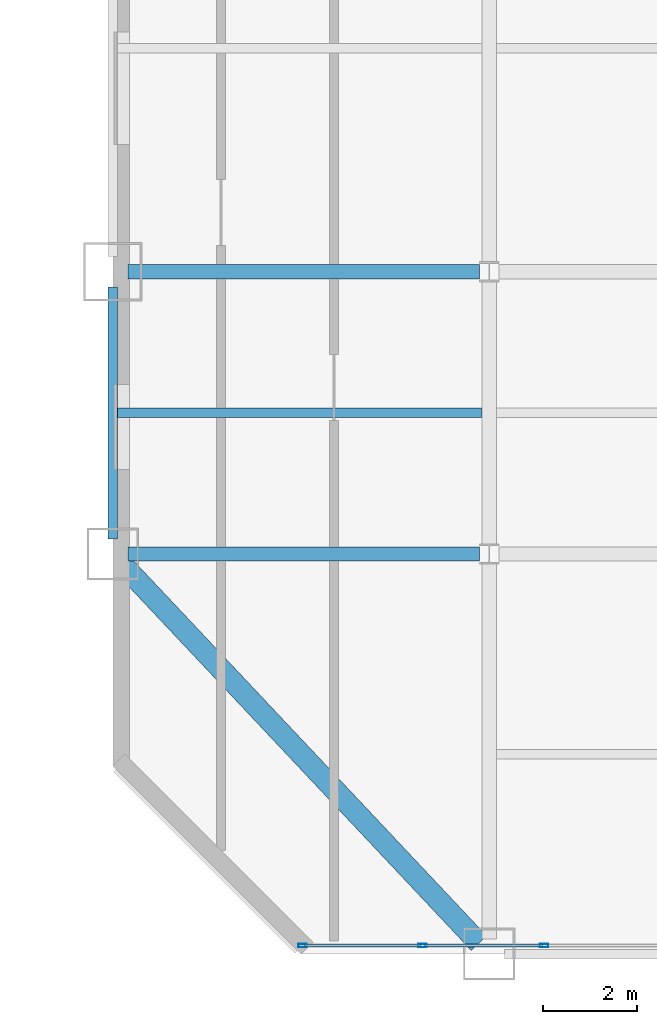
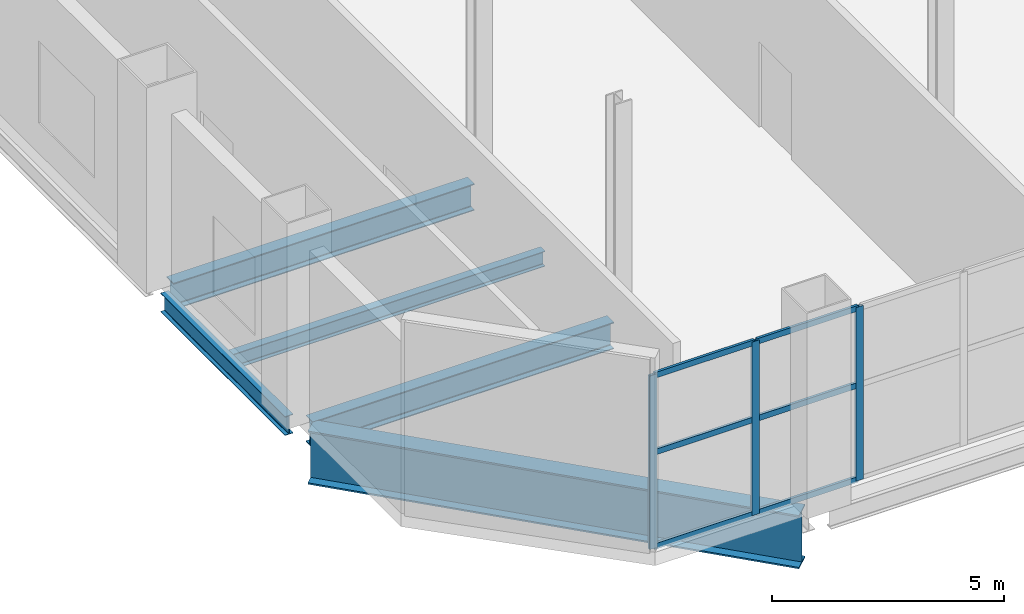
# One storey, part 6 of 26: 9 members, 5 beams, 1 element without a shape of its own.
"""IFC4 building model written with IfcOpenShell, lengths in metres."""

from ifc_helpers import new_model, si_unit, direction, frame, origin, origin_2d, place, context, subcontext, project, spatial, hollow_rectangle, i_section, extrude, material, layer, layer_set, material_profile, profile_set, type_object, element, aggregate, save


model = new_model("IFC4")

# Units and contexts
model_context = context("Model", 3, precision=1e-05, world=origin(), true_north=direction((0.0, 1.0)))
body_context = subcontext(model_context, "Body", "Model", "MODEL_VIEW")
ifc_project = project(units=[si_unit("LENGTHUNIT", "METRE"), si_unit("AREAUNIT", "SQUARE_METRE"), si_unit("VOLUMEUNIT", "CUBIC_METRE"), si_unit("PLANEANGLEUNIT", "RADIAN"), si_unit("MASSUNIT", "GRAM", prefix="KILO")], contexts=[model_context])

# Site, building, storey
site_placement = place(None, origin())
site = spatial("IfcSite", under=ifc_project, at=site_placement, CompositionType="ELEMENT")
building_placement = place(site_placement, origin())
building = spatial("IfcBuilding", under=site, at=building_placement, Name="Qianrong Seaharbour Tower", CompositionType="ELEMENT")
storey_placement = place(building_placement, frame((0.0, 0.0, 108.199951171875)))
storey = spatial("IfcBuildingStorey", under=building, at=storey_placement, Name="L26", CompositionType="ELEMENT", Elevation=108.199951171875)

# Beams
ifc_material_1 = material(Name="Structural steel SN490B", Category="steel")
ifc_material_profile_1 = material_profile(ifc_material_1, i_section(OverallWidth=0.300048828125, OverallDepth=0.699951171875, WebThickness=0.012939453125, FlangeThickness=0.02392578125, FilletRadius=0.02587890625, at=origin_2d()), Name="H700x300x13x24")
ifc_profile_set_1 = profile_set([ifc_material_profile_1], Name="Structural steel SN490B")
beam_type_1 = type_object("IfcBeamType", Name="BM-G-700", PredefinedType="BEAM", material=ifc_profile_set_1)
for number, where, z_axis, x_axis, name in (
    (1, (40.820068359375, 12.5, -0.699951171875), (1.0, 0.0, 0.0), (0.0, 1.0, 0.0), "L26 Primary Girder GC G6-G7"),
    (2, (40.820068359375, 18.5, -0.699951171875), (1.0, 0.0, 0.0), (0.0, 1.0, 0.0), "L26 Primary Girder GD G6-G7"),
):
    element("IfcBeam", number, at=place(storey_placement, frame(where, z_axis=z_axis, x_axis=x_axis)), inside=storey, type_object=beam_type_1, Name=name, PredefinedType="BEAM", context=body_context, shape_type="SweptSolid", body=[
        extrude(i_section(OverallWidth=0.300048828125, OverallDepth=0.699951171875, WebThickness=0.012939453125, FlangeThickness=0.02392578125, FilletRadius=0.02587890625, at=origin_2d()), origin(), (0.0, 0.0, 1.0), 7.476318359375),
    ])
ifc_material_2 = material(Name="Structural steel SN400B", Category="steel")
ifc_material_profile_2 = material_profile(ifc_material_2, i_section(OverallWidth=0.199951171875, OverallDepth=0.39990234375, WebThickness=0.008056640625, FlangeThickness=0.012939453125, FilletRadius=0.01611328125, at=origin_2d()), Name="H400x200x8x13")
ifc_profile_set_2 = profile_set([ifc_material_profile_2], Name="Structural steel SN400B")
beam_type_2 = type_object("IfcBeamType", Name="BM-J-400", PredefinedType="JOIST", material=ifc_profile_set_2)
beam_1_placement = place(storey_placement, frame((40.60009765625, 15.5, -0.550048828125), z_axis=(1.0, 0.0, 0.0), x_axis=(0.0, 1.0, 0.0)))
element("IfcBeam", 3, at=beam_1_placement, inside=storey, type_object=beam_type_2, Name="L26 Composite Floor Joist G6-G7/GC-GD", PredefinedType="JOIST", context=body_context, shape_type="SweptSolid", body=[
    extrude(i_section(OverallWidth=0.199951171875, OverallDepth=0.39990234375, WebThickness=0.008056640625, FlangeThickness=0.012939453125, FilletRadius=0.01611328125, at=origin_2d()), origin(), (0.0, 0.0, 1.0), 7.75),
])
ifc_material_profile_3 = material_profile(ifc_material_1, i_section(OverallWidth=0.199951171875, OverallDepth=0.5, WebThickness=0.010009765625, FlangeThickness=0.01611328125, FilletRadius=0.02001953125, at=origin_2d()), Name="H500x200x10x16")
ifc_profile_set_3 = profile_set([ifc_material_profile_3], Name="Structural steel SN490B")
beam_type_3 = type_object("IfcBeamType", Name="BM-SP-500", PredefinedType="SPANDREL", material=ifc_profile_set_3)
beam_2_placement = place(storey_placement, frame((40.5, 12.820068359375, -0.599853515625), z_axis=(0.0, 1.0, 0.0), x_axis=(-1.0, 0.0, 0.0)))
element("IfcBeam", 4, at=beam_2_placement, inside=storey, type_object=beam_type_3, Name="L26 Spandrel Girder G6 GC-GD", PredefinedType="SPANDREL", context=body_context, shape_type="SweptSolid", body=[
    extrude(i_section(OverallWidth=0.199951171875, OverallDepth=0.5, WebThickness=0.010009765625, FlangeThickness=0.01611328125, FilletRadius=0.02001953125, at=origin_2d()), origin(), (0.0, 0.0, 1.0), 5.35986328125),
])
ifc_material_profile_4 = material_profile(ifc_material_1, i_section(OverallWidth=0.449951171875, OverallDepth=1.39990234375, WebThickness=0.02197265625, FlangeThickness=0.0400390625, at=origin_2d()), Name="BH1400x450x22x40")
ifc_profile_set_4 = profile_set([ifc_material_profile_4], Name="Structural steel SN490B")
beam_type_4 = type_object("IfcBeamType", Name="BM-TG-1400", PredefinedType="BEAM", material=ifc_profile_set_4)
beam_3_placement = place(storey_placement, frame((48.28076171875, 4.23291015625, -1.050048828125), z_axis=(-0.685361938021, 0.728202591256, 0.0), x_axis=(-0.728202591256, -0.685361938021, 0.0)))
element("IfcBeam", 5, at=beam_3_placement, inside=storey, type_object=beam_type_4, Name="L26 Chamfer Corner Spandrel Girder G6/GB", PredefinedType="BEAM", context=body_context, shape_type="SweptSolid", body=[
    extrude(i_section(OverallWidth=0.449951171875, OverallDepth=1.39990234375, WebThickness=0.02197265625, FlangeThickness=0.0400390625, at=origin_2d()), origin(), (0.0, 0.0, 1.0), 11.032958984375),
])

# Curtain wall, members
ifc_material_3 = material(Name="Anodised aluminium 6063-T6 and laminated low-e glass", Category="aluminium")
ifc_layer = layer(ifc_material_3, 0.18505859375)
ifc_layer_set = layer_set([ifc_layer], Name="Anodised aluminium 6063-T6 and laminated low-e glass")
curtain_wall_type = type_object("IfcCurtainWallType", Name="CW-SYS-4", PredefinedType="NOTDEFINED", material=ifc_layer_set)
curtain_wall_placement = place(storey_placement, origin())
curtain_wall = element("IfcCurtainWall", 6, at=curtain_wall_placement, inside=storey, type_object=curtain_wall_type, Name="L26 Refuge Acoustic Louvre Curtain Wall SOUTH_TIP", PredefinedType="NOTDEFINED")
ifc_material_4 = material(Name="Extruded aluminium 6063-T6", Category="aluminium")
ifc_material_profile_5 = material_profile(ifc_material_4, hollow_rectangle(XDim=0.070068359375, YDim=0.179931640625, WallThickness=0.00390625, at=origin_2d()), Name="ALU-MUL-180x70x4")
ifc_profile_set_5 = profile_set([ifc_material_profile_5], Name="Extruded aluminium 6063-T6")
member_type_1 = type_object("IfcMemberType", Name="CW-MUL-180", PredefinedType="MULLION", material=ifc_profile_set_5)
member_1_placement = place(storey_placement, frame((49.666748046875, 4.179931640625, 0.0), z_axis=(0.0, 0.0, 1.0), x_axis=(0.0, -1.0, 0.0)))
member_1 = element("IfcMember", 7, at=member_1_placement, type_object=member_type_1, Name="CW-4 mullion 5", PredefinedType="MULLION", context=body_context, shape_type="SweptSolid", body=[
    extrude(hollow_rectangle(XDim=0.070068359375, YDim=0.179931640625, WallThickness=0.00390625, at=origin_2d()), origin(), (0.0, 0.0, 1.0), 4.56005859375),
])
member_2_placement = place(storey_placement, frame((47.083251953125, 4.179931640625, 0.0), z_axis=(0.0, 0.0, 1.0), x_axis=(0.0, -1.0, 0.0)))
member_2 = element("IfcMember", 8, at=member_2_placement, type_object=member_type_1, Name="CW-4 mullion 6", PredefinedType="MULLION", context=body_context, shape_type="SweptSolid", body=[
    extrude(hollow_rectangle(XDim=0.070068359375, YDim=0.179931640625, WallThickness=0.00390625, at=origin_2d()), origin(), (0.0, 0.0, 1.0), 4.56005859375),
])
member_3_placement = place(storey_placement, frame((44.534912109375, 4.179931640625, 0.0), z_axis=(0.0, 0.0, 1.0), x_axis=(0.0, -1.0, 0.0)))
member_3 = element("IfcMember", 9, at=member_3_placement, type_object=member_type_1, Name="CW-4 mullion 7", PredefinedType="MULLION", context=body_context, shape_type="SweptSolid", body=[
    extrude(hollow_rectangle(XDim=0.070068359375, YDim=0.179931640625, WallThickness=0.00390625, at=origin_2d()), origin(), (0.0, 0.0, 1.0), 4.56005859375),
])
ifc_material_profile_6 = material_profile(ifc_material_4, hollow_rectangle(XDim=0.06494140625, YDim=0.14990234375, WallThickness=0.00390625, at=origin_2d()), Name="ALU-TRN-150x65x4")
ifc_profile_set_6 = profile_set([ifc_material_profile_6], Name="Extruded aluminium 6063-T6")
member_type_2 = type_object("IfcMemberType", Name="CW-TRN-150", PredefinedType="USERDEFINED", material=ifc_profile_set_6)
member_4_placement = place(storey_placement, frame((49.631591796875, 4.179931640625, 0.032470703125), z_axis=(-1.0, 0.0, 0.0), x_axis=(0.0, -1.0, 0.0)))
member_4 = element("IfcMember", 10, at=member_4_placement, type_object=member_type_2, Name="CW-4 transom 5.1", ObjectType="TRANSOM", PredefinedType="USERDEFINED", context=body_context, shape_type="SweptSolid", body=[
    extrude(hollow_rectangle(XDim=0.06494140625, YDim=0.14990234375, WallThickness=0.00390625, at=origin_2d()), origin(), (0.0, 0.0, 1.0), 2.51318359375),
])
member_5_placement = place(storey_placement, frame((49.631591796875, 4.179931640625, 2.508056640625), z_axis=(-1.0, 0.0, 0.0), x_axis=(0.0, -1.0, 0.0)))
member_5 = element("IfcMember", 11, at=member_5_placement, type_object=member_type_2, Name="CW-4 transom 5.2", ObjectType="TRANSOM", PredefinedType="USERDEFINED", context=body_context, shape_type="SweptSolid", body=[
    extrude(hollow_rectangle(XDim=0.06494140625, YDim=0.14990234375, WallThickness=0.00390625, at=origin_2d()), origin(), (0.0, 0.0, 1.0), 2.51318359375),
])
member_6_placement = place(storey_placement, frame((49.631591796875, 4.179931640625, 4.527587890625), z_axis=(-1.0, 0.0, 0.0), x_axis=(0.0, -1.0, 0.0)))
member_6 = element("IfcMember", 12, at=member_6_placement, type_object=member_type_2, Name="CW-4 transom 5.3", ObjectType="TRANSOM", PredefinedType="USERDEFINED", context=body_context, shape_type="SweptSolid", body=[
    extrude(hollow_rectangle(XDim=0.06494140625, YDim=0.14990234375, WallThickness=0.00390625, at=origin_2d()), origin(), (0.0, 0.0, 1.0), 2.51318359375),
])
member_7_placement = place(storey_placement, frame((47.04833984375, 4.179931640625, 0.032470703125), z_axis=(-1.0, 0.0, 0.0), x_axis=(0.0, -1.0, 0.0)))
member_7 = element("IfcMember", 13, at=member_7_placement, type_object=member_type_2, Name="CW-4 transom 6.1", ObjectType="TRANSOM", PredefinedType="USERDEFINED", context=body_context, shape_type="SweptSolid", body=[
    extrude(hollow_rectangle(XDim=0.06494140625, YDim=0.14990234375, WallThickness=0.00390625, at=origin_2d()), origin(), (0.0, 0.0, 1.0), 2.478271484375),
])
member_8_placement = place(storey_placement, frame((47.04833984375, 4.179931640625, 2.508056640625), z_axis=(-1.0, 0.0, 0.0), x_axis=(0.0, -1.0, 0.0)))
member_8 = element("IfcMember", 14, at=member_8_placement, type_object=member_type_2, Name="CW-4 transom 6.2", ObjectType="TRANSOM", PredefinedType="USERDEFINED", context=body_context, shape_type="SweptSolid", body=[
    extrude(hollow_rectangle(XDim=0.06494140625, YDim=0.14990234375, WallThickness=0.00390625, at=origin_2d()), origin(), (0.0, 0.0, 1.0), 2.478271484375),
])
member_9_placement = place(storey_placement, frame((47.04833984375, 4.179931640625, 4.527587890625), z_axis=(-1.0, 0.0, 0.0), x_axis=(0.0, -1.0, 0.0)))
member_9 = element("IfcMember", 15, at=member_9_placement, type_object=member_type_2, Name="CW-4 transom 6.3", ObjectType="TRANSOM", PredefinedType="USERDEFINED", context=body_context, shape_type="SweptSolid", body=[
    extrude(hollow_rectangle(XDim=0.06494140625, YDim=0.14990234375, WallThickness=0.00390625, at=origin_2d()), origin(), (0.0, 0.0, 1.0), 2.478271484375),
])
aggregate(curtain_wall, [member_1, member_2, member_3, member_4, member_5, member_6, member_7, member_8, member_9])

save(model, "model.ifc")
